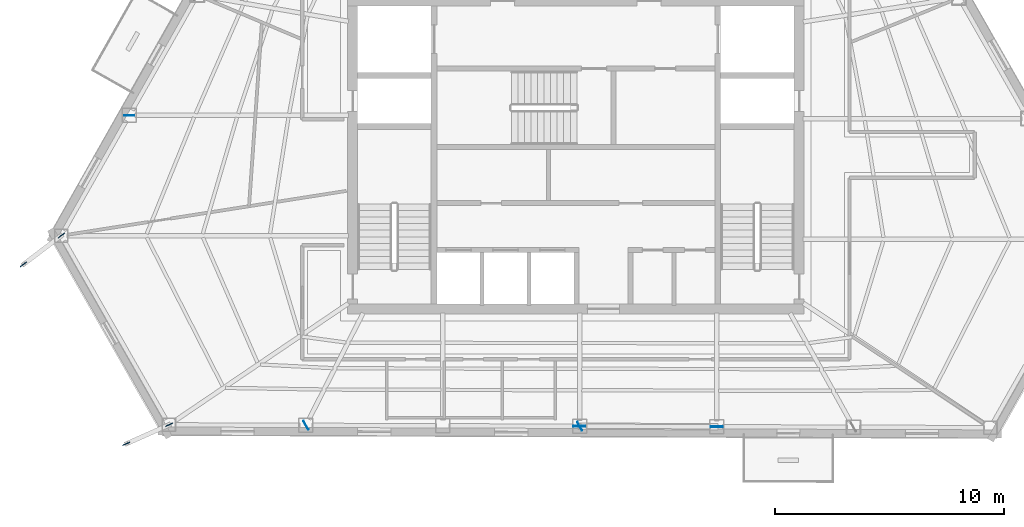
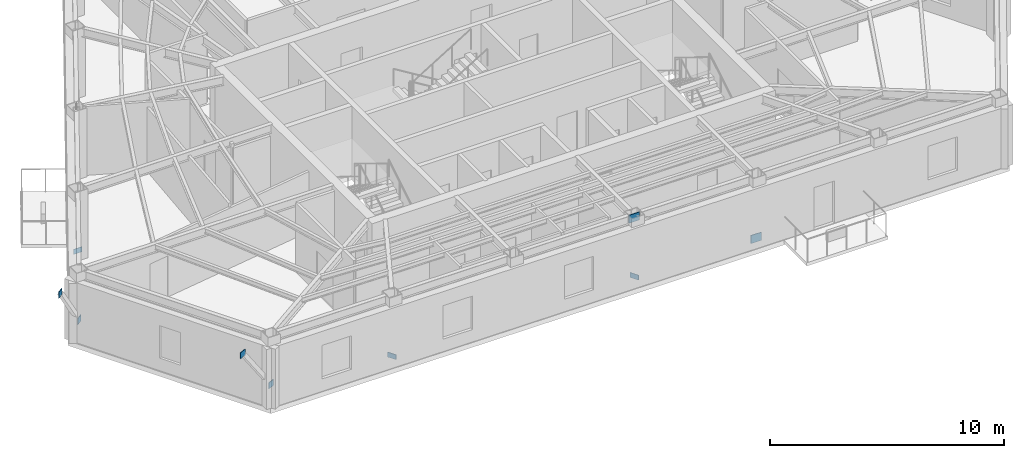
# One storey, part 4 of 13: 9 plates.
"""IFC4 building model written with IfcOpenShell, lengths in metres."""

from ifc_helpers import new_model, si_unit, direction, frame, origin, origin_2d, place, context, subcontext, project, spatial, rectangle, extrude, material, layer, layer_set, type_object, element, save


model = new_model("IFC4")

# Units and contexts
model_context = context("Model", 3, precision=1e-05, world=origin(), true_north=direction((0.0, 1.0)))
body_context = subcontext(model_context, "Body", "Model", "MODEL_VIEW")
ifc_project = project(units=[si_unit("LENGTHUNIT", "METRE"), si_unit("AREAUNIT", "SQUARE_METRE"), si_unit("VOLUMEUNIT", "CUBIC_METRE"), si_unit("PLANEANGLEUNIT", "RADIAN"), si_unit("MASSUNIT", "GRAM", prefix="KILO")], contexts=[model_context])

# Site, building, storey
site_placement = place(None, origin())
site = spatial("IfcSite", under=ifc_project, at=site_placement, CompositionType="ELEMENT")
building_placement = place(site_placement, origin())
building = spatial("IfcBuilding", under=site, at=building_placement, Name="Kavelnor Concourse Tower", CompositionType="ELEMENT")
storey_placement = place(building_placement, frame((0.0, 0.0, 168.85009765625)))
storey = spatial("IfcBuildingStorey", under=building, at=storey_placement, Name="L42", CompositionType="ELEMENT", Elevation=168.85009765625)

# Plates
ifc_material = material(Name="Steel Grade 350", Category="steel")
ifc_layer_1 = layer(ifc_material, 0.028076171875, Name="Steel Grade 350")
ifc_layer_set_1 = layer_set([ifc_layer_1], Name="Steel Grade 350")
plate_type_1 = type_object("IfcPlateType", Name="PL-GUSSET-FOLD", PredefinedType="USERDEFINED", material=ifc_layer_set_1)
for number, where, z_axis, x_axis, name in (
    (1, (15.54931640625, 12.578125, 0.73974609375), (0.0, 0.0, 1.0), (-0.796002002535, -0.605293988043, 0.0), "L42 Terrace Strut Gusset GP4 C1-A End Gusset A"),
    (2, (13.88818359375, 11.31494140625, 3.47509765625), (0.0, 0.0, 1.0), (-0.796002002535, -0.605293988043, 0.0), "L42 Terrace Strut Gusset GP4 C1-A End Gusset B"),
    (3, (20.255859375, 4.323974609375, 0.73974609375), (0.0, 0.0, 1.0), (-0.913900054426, -0.405939269498, 0.0), "L42 Terrace Strut Gusset GP4 C1-B End Gusset A"),
    (4, (18.381103515625, 3.4912109375, 3.47509765625), (0.0, 0.0, 1.0), (-0.913900054426, -0.405939269498, 0.0), "L42 Terrace Strut Gusset GP4 C1-B End Gusset B"),
):
    element("IfcPlate", number, at=place(storey_placement, frame(where, z_axis=z_axis, x_axis=x_axis)), inside=storey, type_object=plate_type_1, Name=name, ObjectType="GUSSET_PLATE", PredefinedType="USERDEFINED", context=body_context, shape_type="SweptSolid", body=[
        extrude(rectangle(XDim=0.340087890625, YDim=0.028076171875, at=origin_2d()), origin(), (0.0, 0.0, 1.0), 0.320068359375),
    ])
ifc_layer_2 = layer(ifc_material, 0.031982421875, Name="Steel Grade 350")
ifc_layer_set_2 = layer_set([ifc_layer_2], Name="Steel Grade 350")
plate_type_2 = type_object("IfcPlateType", Name="PL-GUSSET-TUBE-Z1", PredefinedType="USERDEFINED", material=ifc_layer_set_2)
for number, where, z_axis, x_axis, name in (
    (5, (44.153564453125, 4.23681640625, 0.010009765625), (0.0, 0.0, 1.0), (-0.999993907658, 0.003490651415, 0.0), "L42 Tube Brace Gusset GP3 F1-B3 End Gusset A"),
    (6, (38.155517578125, 4.25732421875, 3.159912109375), (0.0, 0.0, 1.0), (-0.999993907658, 0.003490651415, 0.0), "L42 Tube Brace Gusset GP3 F1-B3 End Gusset B"),
):
    element("IfcPlate", number, at=place(storey_placement, frame(where, z_axis=z_axis, x_axis=x_axis)), inside=storey, type_object=plate_type_2, Name=name, ObjectType="GUSSET_PLATE", PredefinedType="USERDEFINED", context=body_context, shape_type="SweptSolid", body=[
        extrude(rectangle(XDim=0.52001953125, YDim=0.031982421875, at=origin_2d()), origin(), (0.0, 0.0, 1.0), 0.419921875),
    ])
ifc_layer_3 = layer(ifc_material, 0.02490234375, Name="Steel Grade 350")
ifc_layer_set_3 = layer_set([ifc_layer_3], Name="Steel Grade 350")
plate_type_3 = type_object("IfcPlateType", Name="PL-SPLICE-FLANGE", PredefinedType="SHEET", material=ifc_layer_set_3)
for number, where, z_axis, x_axis, name in (
    (7, (18.510009765625, 17.82177734375, 0.169921875), (0.0, 0.0, 1.0), (1.0, 0.0, 0.0), "L42 Column Flange Splice Plate F0-B5"),
    (8, (26.218994140625, 4.298583984375, 0.169921875), (0.0, 0.0, 1.0), (-0.5, 0.866025403784, 0.0), "L42 Column Flange Splice Plate F1-B1"),
    (9, (38.16748046875, 4.25732421875, 0.169921875), (0.0, 0.0, 1.0), (-0.5, 0.866025403784, 0.0), "L42 Column Flange Splice Plate F1-B3"),
):
    element("IfcPlate", number, at=place(storey_placement, frame(where, z_axis=z_axis, x_axis=x_axis)), inside=storey, type_object=plate_type_3, Name=name, PredefinedType="SHEET", context=body_context, shape_type="SweptSolid", body=[
        extrude(rectangle(XDim=0.419921875, YDim=0.02490234375, at=origin_2d()), origin(), (0.0, 0.0, 1.0), 0.260009765625),
    ])

save(model, "model.ifc")
